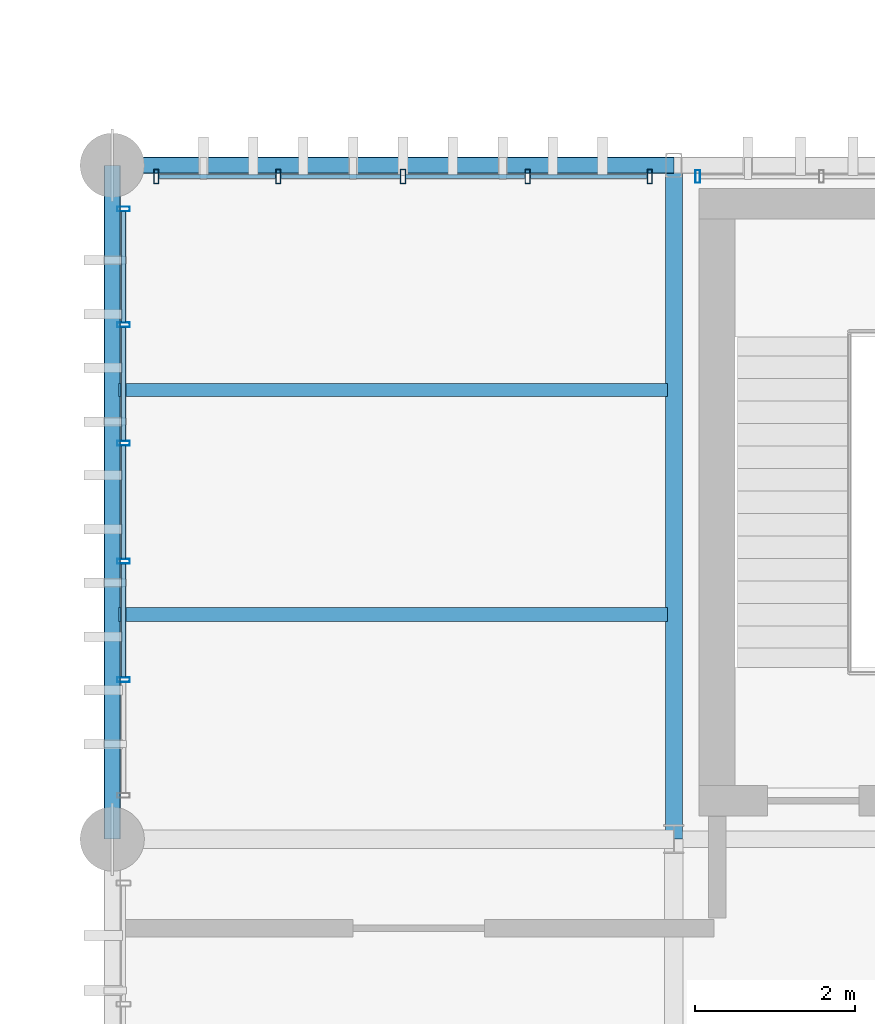
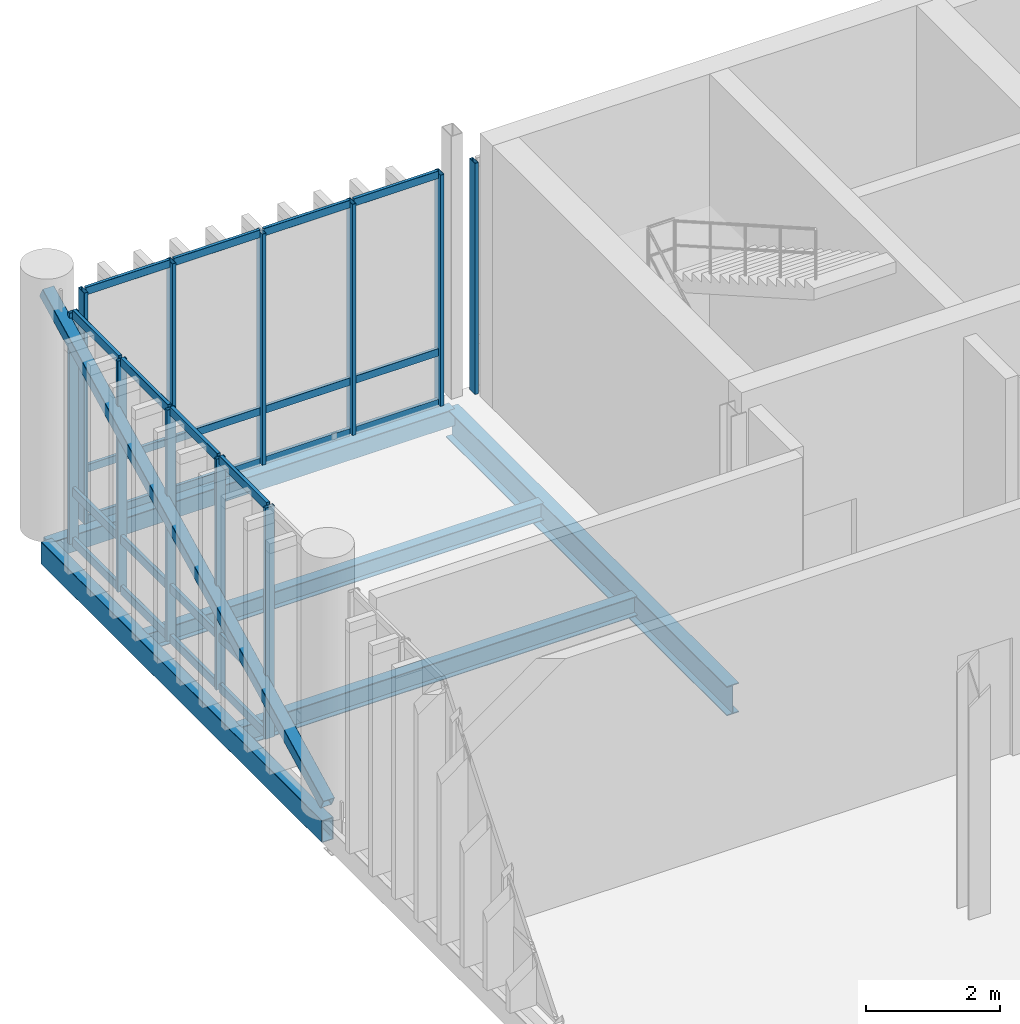
# One storey, part 22 of 94: 36 members, 5 beams, 3 elements without a shape of their own.
"""IFC4 building model written with IfcOpenShell, lengths in metres."""

from ifc_helpers import new_model, si_unit, direction, frame, origin_with_axes, origin_2d_with_axis, place, context, subcontext, project, spatial, hollow_rectangle, i_section, extrude, material, material_profile, profile_set, type_object, element, aggregate, save


model = new_model("IFC4")

# Units and contexts
model_context = context("Model", 3, precision=1e-05, world=origin_with_axes(), true_north=direction((0.0, 1.0)))
body_context = subcontext(model_context, "Body", "Model", "MODEL_VIEW")
ifc_project = project(units=[si_unit("LENGTHUNIT", "METRE"), si_unit("AREAUNIT", "SQUARE_METRE"), si_unit("VOLUMEUNIT", "CUBIC_METRE"), si_unit("PLANEANGLEUNIT", "RADIAN"), si_unit("MASSUNIT", "GRAM", prefix="KILO"), si_unit("THERMODYNAMICTEMPERATUREUNIT", "KELVIN")], contexts=[model_context])

# Site, building, storey
site_placement = place(None, origin_with_axes())
site = spatial("IfcSite", under=ifc_project, at=site_placement, CompositionType="ELEMENT")
building_placement = place(site_placement, origin_with_axes())
building = spatial("IfcBuilding", under=site, at=building_placement, Name="Montbau Bow Law Courts", CompositionType="ELEMENT")
storey_placement = place(building_placement, frame((0.0, 0.0, 15.6), z_axis=(0.0, 0.0, 1.0), x_axis=(1.0, 0.0, 0.0)))
storey = spatial("IfcBuildingStorey", under=building, at=storey_placement, Name="L03", CompositionType="ELEMENT", Elevation=15.6)

# Beams
ifc_material_1 = material(Name="Steel CSA G40.21 Grade 350W (350 MPa)", Category="steel")
ifc_material_profile_1 = material_profile(ifc_material_1, i_section(OverallWidth=0.21, OverallDepth=0.537, WebThickness=0.0109, FlangeThickness=0.0174, at=origin_2d_with_axis()), Name="W530X101", Category="Main", Priority=0)
ifc_profile_set_1 = profile_set([ifc_material_profile_1], Name="Steel CSA G40.21 Grade 350W (350 MPa)")
beam_type_1 = type_object("IfcBeamType", Name="B-FLR-06", PredefinedType="BEAM", material=ifc_profile_set_1)
beam_1_placement = place(None, frame((13.8, 46.2, 15.091), z_axis=(0.0, 1.0, 0.0), x_axis=(-1.0, 0.0, 0.0)))
element("IfcBeam", 1, at=beam_1_placement, inside=storey, type_object=beam_type_1, Name="BM-L03-S0605:bm2_0608", PredefinedType="BEAM", context=body_context, shape_type="SweptSolid", body=[
    extrude(i_section(OverallWidth=0.21, OverallDepth=0.537, WebThickness=0.0109, FlangeThickness=0.0174, at=origin_2d_with_axis()), origin_with_axes(), (0.0, 0.0, 1.0), 8.4),
])
ifc_material_profile_2 = material_profile(ifc_material_1, i_section(OverallWidth=0.172, OverallDepth=0.358, WebThickness=0.0079, FlangeThickness=0.0131, at=origin_2d_with_axis()), Name="W360X57", Category="Main", Priority=0)
ifc_profile_set_2 = profile_set([ifc_material_profile_2], Name="Steel CSA G40.21 Grade 350W (350 MPa)")
beam_type_2 = type_object("IfcBeamType", Name="B-JST-03", PredefinedType="JOIST", material=ifc_profile_set_2)
beam_2_placement = place(None, frame((6.88, 49.0, 15.181), z_axis=(1.0, 0.0, 0.0), x_axis=(0.0, 1.0, 0.0)))
element("IfcBeam", 2, at=beam_2_placement, inside=storey, type_object=beam_type_2, Name="JST-L03-S0286:jst2_0286", PredefinedType="JOIST", context=body_context, shape_type="SweptSolid", body=[
    extrude(i_section(OverallWidth=0.172, OverallDepth=0.358, WebThickness=0.0079, FlangeThickness=0.0131, at=origin_2d_with_axis()), origin_with_axes(), (0.0, 0.0, 1.0), 6.839),
])
ifc_material_profile_3 = material_profile(ifc_material_1, i_section(OverallWidth=0.166, OverallDepth=0.313, WebThickness=0.0066, FlangeThickness=0.0112, at=origin_2d_with_axis()), Name="W310X45", Category="Main", Priority=0)
ifc_profile_set_3 = profile_set([ifc_material_profile_3], Name="Steel CSA G40.21 Grade 350W (350 MPa)")
beam_type_3 = type_object("IfcBeamType", Name="B-JST-04", PredefinedType="JOIST", material=ifc_profile_set_3)
beam_3_placement = place(None, frame((6.88, 51.8, 15.204), z_axis=(1.0, 0.0, 0.0), x_axis=(0.0, 1.0, 0.0)))
element("IfcBeam", 3, at=beam_3_placement, inside=storey, type_object=beam_type_3, Name="JST-L03-S0287:jst2_0287", PredefinedType="JOIST", context=body_context, shape_type="SweptSolid", body=[
    extrude(i_section(OverallWidth=0.166, OverallDepth=0.313, WebThickness=0.0066, FlangeThickness=0.0112, at=origin_2d_with_axis()), origin_with_axes(), (0.0, 0.0, 1.0), 6.839),
])
ifc_material_2 = material(Name="Steel CSA G40.21 Grade 350WT (350 MPa)", Category="steel")
ifc_material_profile_4 = material_profile(ifc_material_2, hollow_rectangle(XDim=0.203, YDim=0.406, WallThickness=0.0127, InnerFilletRadius=0.0254, OuterFilletRadius=0.0127, at=origin_2d_with_axis()), Name="HSS406X203X13", Category="Main", Priority=0)
ifc_profile_set_4 = profile_set([ifc_material_profile_4], Name="Steel CSA G40.21 Grade 350WT (350 MPa)")
beam_type_4 = type_object("IfcBeamType", Name="B-SPN-01", PredefinedType="SPANDREL", material=ifc_profile_set_4)
beam_4_placement = place(None, frame((6.8, 46.2, 15.157), z_axis=(0.0, 1.0, 0.0), x_axis=(-1.0, 0.0, 0.0)))
element("IfcBeam", 4, at=beam_4_placement, inside=storey, type_object=beam_type_4, Name="SPN-L03-S0603:bm2_0606", PredefinedType="SPANDREL", context=body_context, shape_type="SweptSolid", body=[
    extrude(hollow_rectangle(XDim=0.203, YDim=0.406, WallThickness=0.0127, InnerFilletRadius=0.0254, OuterFilletRadius=0.0127, at=origin_2d_with_axis()), origin_with_axes(), (0.0, 0.0, 1.0), 8.4),
])
ifc_material_profile_5 = material_profile(ifc_material_2, hollow_rectangle(XDim=0.203, YDim=0.305, WallThickness=0.0127, InnerFilletRadius=0.0254, OuterFilletRadius=0.0127, at=origin_2d_with_axis()), Name="HSS305X203X13", Category="Main", Priority=0)
ifc_profile_set_5 = profile_set([ifc_material_profile_5], Name="Steel CSA G40.21 Grade 350WT (350 MPa)")
beam_type_5 = type_object("IfcBeamType", Name="B-SPN-02", PredefinedType="SPANDREL", material=ifc_profile_set_5)
beam_5_placement = place(None, frame((6.8, 54.6, 15.207), z_axis=(1.0, 0.0, 0.0), x_axis=(0.0, 1.0, 0.0)))
element("IfcBeam", 5, at=beam_5_placement, inside=storey, type_object=beam_type_5, Name="SPN-L03-S0596:bm2_0599", PredefinedType="SPANDREL", context=body_context, shape_type="SweptSolid", body=[
    extrude(hollow_rectangle(XDim=0.203, YDim=0.305, WallThickness=0.0127, InnerFilletRadius=0.0254, OuterFilletRadius=0.0127, at=origin_2d_with_axis()), origin_with_axes(), (0.0, 0.0, 1.0), 7.0),
])

# Member
ifc_material_profile_6 = material_profile(ifc_material_1, hollow_rectangle(XDim=0.203, YDim=0.203, WallThickness=0.0111, InnerFilletRadius=0.0222, OuterFilletRadius=0.0111, at=origin_2d_with_axis()), Name="HSS203X203X11", Category="Main", Priority=0)
ifc_profile_set_6 = profile_set([ifc_material_profile_6], Name="Steel CSA G40.21 Grade 350W (350 MPa)")
member_type_1 = type_object("IfcMemberType", Name="M-BRC-02", PredefinedType="BRACE", material=ifc_profile_set_6)
member_1_placement = place(None, frame((6.8, 46.2, 15.65), z_axis=(0.0, 0.89199296, 0.452049289), x_axis=(-1.0, 0.0, 0.0)))
element("IfcMember", 6, at=member_1_placement, inside=storey, type_object=member_type_1, Name="Diagonal brace CBF-L03-041A", PredefinedType="BRACE", context=body_context, shape_type="SweptSolid", body=[
    extrude(hollow_rectangle(XDim=0.203, YDim=0.203, WallThickness=0.0111, InnerFilletRadius=0.0222, OuterFilletRadius=0.0111, at=origin_2d_with_axis()), origin_with_axes(), (0.0, 0.0, 1.0), 9.417115),
])

# Curtain wall, members
ifc_material_3 = material(Name="Thermally Broken Extruded Aluminium AA 6063-T6", Category="aluminium")
curtain_wall_type = type_object("IfcCurtainWallType", Name="CW-TRC-01", PredefinedType="NOTDEFINED", material=ifc_material_3)
curtain_wall_1_placement = place(None, frame((7.315, 54.46, 15.6), z_axis=(0.0, 0.0, 1.0), x_axis=(1.0, 0.0, 0.0)))
curtain_wall_1 = element("IfcCurtainWall", 7, at=curtain_wall_1_placement, inside=storey, type_object=curtain_wall_type, Name="CW-L03-055:cw_0055", PredefinedType="NOTDEFINED")
ifc_material_profile_7 = material_profile(ifc_material_3, hollow_rectangle(XDim=0.065, YDim=0.18, WallThickness=0.005, InnerFilletRadius=0.01, OuterFilletRadius=0.005, at=origin_2d_with_axis()), Name="CWM-180X65", Category="Main", Priority=0)
ifc_profile_set_7 = profile_set([ifc_material_profile_7], Name="Thermally Broken Extruded Aluminium AA 6063-T6")
member_type_2 = type_object("IfcMemberType", Name="M-MUL-02", PredefinedType="MULLION", material=ifc_profile_set_7)
member_2_placement = place(None, frame((7.348, 54.46, 15.6), z_axis=(0.0, 0.0, 1.0), x_axis=(1.0, 0.0, 0.0)))
member_2 = element("IfcMember", 8, at=member_2_placement, type_object=member_type_2, Name="CW-L03-055-M01:cw_0055_M01", PredefinedType="MULLION", context=body_context, shape_type="SweptSolid", body=[
    extrude(hollow_rectangle(XDim=0.065, YDim=0.18, WallThickness=0.005, InnerFilletRadius=0.01, OuterFilletRadius=0.005, at=origin_2d_with_axis()), origin_with_axes(), (0.0, 0.0, 1.0), 4.22),
])
member_3_placement = place(None, frame((8.869, 54.46, 15.6), z_axis=(0.0, 0.0, 1.0), x_axis=(1.0, 0.0, 0.0)))
member_3 = element("IfcMember", 9, at=member_3_placement, type_object=member_type_2, Name="CW-L03-055-M02:cw_0055_M02", PredefinedType="MULLION", context=body_context, shape_type="SweptSolid", body=[
    extrude(hollow_rectangle(XDim=0.065, YDim=0.18, WallThickness=0.005, InnerFilletRadius=0.01, OuterFilletRadius=0.005, at=origin_2d_with_axis()), origin_with_axes(), (0.0, 0.0, 1.0), 4.22),
])
member_4_placement = place(None, frame((10.424, 54.46, 15.6), z_axis=(0.0, 0.0, 1.0), x_axis=(1.0, 0.0, 0.0)))
member_4 = element("IfcMember", 10, at=member_4_placement, type_object=member_type_2, Name="CW-L03-055-M03:cw_0055_M03", PredefinedType="MULLION", context=body_context, shape_type="SweptSolid", body=[
    extrude(hollow_rectangle(XDim=0.065, YDim=0.18, WallThickness=0.005, InnerFilletRadius=0.01, OuterFilletRadius=0.005, at=origin_2d_with_axis()), origin_with_axes(), (0.0, 0.0, 1.0), 4.22),
])
member_5_placement = place(None, frame((11.978, 54.46, 15.6), z_axis=(0.0, 0.0, 1.0), x_axis=(1.0, 0.0, 0.0)))
member_5 = element("IfcMember", 11, at=member_5_placement, type_object=member_type_2, Name="CW-L03-055-M04:cw_0055_M04", PredefinedType="MULLION", context=body_context, shape_type="SweptSolid", body=[
    extrude(hollow_rectangle(XDim=0.065, YDim=0.18, WallThickness=0.005, InnerFilletRadius=0.01, OuterFilletRadius=0.005, at=origin_2d_with_axis()), origin_with_axes(), (0.0, 0.0, 1.0), 4.22),
])
member_6_placement = place(None, frame((13.5, 54.46, 15.6), z_axis=(0.0, 0.0, 1.0), x_axis=(1.0, 0.0, 0.0)))
member_6 = element("IfcMember", 12, at=member_6_placement, type_object=member_type_2, Name="CW-L03-055-M05:cw_0055_M05", PredefinedType="MULLION", context=body_context, shape_type="SweptSolid", body=[
    extrude(hollow_rectangle(XDim=0.065, YDim=0.18, WallThickness=0.005, InnerFilletRadius=0.01, OuterFilletRadius=0.005, at=origin_2d_with_axis()), origin_with_axes(), (0.0, 0.0, 1.0), 4.22),
])

# Curtain wall, member
curtain_wall_2_placement = place(None, frame((14.068, 54.46, 15.6), z_axis=(0.0, 0.0, 1.0), x_axis=(1.0, 0.0, 0.0)))
curtain_wall_2 = element("IfcCurtainWall", 13, at=curtain_wall_2_placement, inside=storey, type_object=curtain_wall_type, Name="CW-L03-056:cw_0056", PredefinedType="NOTDEFINED")
ifc_material_profile_8 = material_profile(ifc_material_3, hollow_rectangle(XDim=0.06, YDim=0.16, WallThickness=0.004, InnerFilletRadius=0.008, OuterFilletRadius=0.004, at=origin_2d_with_axis()), Name="CWM-160X60", Category="Main", Priority=0)
ifc_profile_set_8 = profile_set([ifc_material_profile_8], Name="Thermally Broken Extruded Aluminium AA 6063-T6")
member_type_3 = type_object("IfcMemberType", Name="M-MUL-03", PredefinedType="MULLION", material=ifc_profile_set_8)
member_7_placement = place(None, frame((14.098, 54.46, 15.6), z_axis=(0.0, 0.0, 1.0), x_axis=(1.0, 0.0, 0.0)))
member_7 = element("IfcMember", 14, at=member_7_placement, type_object=member_type_3, Name="CW-L03-056-M01:cw_0056_M01", PredefinedType="MULLION", context=body_context, shape_type="SweptSolid", body=[
    extrude(hollow_rectangle(XDim=0.06, YDim=0.16, WallThickness=0.004, InnerFilletRadius=0.008, OuterFilletRadius=0.004, at=origin_2d_with_axis()), origin_with_axes(), (0.0, 0.0, 1.0), 4.22),
])
aggregate(curtain_wall_2, [member_7])

# Curtain wall, members
curtain_wall_3_placement = place(None, frame((6.94, 46.715, 15.6), z_axis=(0.0, 0.0, 1.0), x_axis=(1.0, 0.0, 0.0)))
curtain_wall_3 = element("IfcCurtainWall", 15, at=curtain_wall_3_placement, inside=storey, type_object=curtain_wall_type, Name="CW-L03-062:cw_0062", PredefinedType="NOTDEFINED")
member_8_placement = place(None, frame((6.94, 48.189, 15.6), z_axis=(0.0, 0.0, 1.0), x_axis=(0.0, 1.0, 0.0)))
member_8 = element("IfcMember", 16, at=member_8_placement, type_object=member_type_3, Name="CW-L03-062-M02:cw_0062_M02", PredefinedType="MULLION", context=body_context, shape_type="SweptSolid", body=[
    extrude(hollow_rectangle(XDim=0.06, YDim=0.16, WallThickness=0.004, InnerFilletRadius=0.008, OuterFilletRadius=0.004, at=origin_2d_with_axis()), origin_with_axes(), (0.0, 0.0, 1.0), 4.22),
])
member_9_placement = place(None, frame((6.94, 49.663, 15.6), z_axis=(0.0, 0.0, 1.0), x_axis=(0.0, 1.0, 0.0)))
member_9 = element("IfcMember", 17, at=member_9_placement, type_object=member_type_3, Name="CW-L03-062-M03:cw_0062_M03", PredefinedType="MULLION", context=body_context, shape_type="SweptSolid", body=[
    extrude(hollow_rectangle(XDim=0.06, YDim=0.16, WallThickness=0.004, InnerFilletRadius=0.008, OuterFilletRadius=0.004, at=origin_2d_with_axis()), origin_with_axes(), (0.0, 0.0, 1.0), 4.22),
])
member_10_placement = place(None, frame((6.94, 51.137, 15.6), z_axis=(0.0, 0.0, 1.0), x_axis=(0.0, 1.0, 0.0)))
member_10 = element("IfcMember", 18, at=member_10_placement, type_object=member_type_3, Name="CW-L03-062-M04:cw_0062_M04", PredefinedType="MULLION", context=body_context, shape_type="SweptSolid", body=[
    extrude(hollow_rectangle(XDim=0.06, YDim=0.16, WallThickness=0.004, InnerFilletRadius=0.008, OuterFilletRadius=0.004, at=origin_2d_with_axis()), origin_with_axes(), (0.0, 0.0, 1.0), 4.22),
])
member_11_placement = place(None, frame((6.94, 52.611, 15.6), z_axis=(0.0, 0.0, 1.0), x_axis=(0.0, 1.0, 0.0)))
member_11 = element("IfcMember", 19, at=member_11_placement, type_object=member_type_3, Name="CW-L03-062-M05:cw_0062_M05", PredefinedType="MULLION", context=body_context, shape_type="SweptSolid", body=[
    extrude(hollow_rectangle(XDim=0.06, YDim=0.16, WallThickness=0.004, InnerFilletRadius=0.008, OuterFilletRadius=0.004, at=origin_2d_with_axis()), origin_with_axes(), (0.0, 0.0, 1.0), 4.22),
])
member_12_placement = place(None, frame((6.94, 54.055, 15.6), z_axis=(0.0, 0.0, 1.0), x_axis=(0.0, 1.0, 0.0)))
member_12 = element("IfcMember", 20, at=member_12_placement, type_object=member_type_3, Name="CW-L03-062-M06:cw_0062_M06", PredefinedType="MULLION", context=body_context, shape_type="SweptSolid", body=[
    extrude(hollow_rectangle(XDim=0.06, YDim=0.16, WallThickness=0.004, InnerFilletRadius=0.008, OuterFilletRadius=0.004, at=origin_2d_with_axis()), origin_with_axes(), (0.0, 0.0, 1.0), 4.22),
])
ifc_material_profile_9 = material_profile(ifc_material_3, hollow_rectangle(XDim=0.06, YDim=0.16, WallThickness=0.004, InnerFilletRadius=0.008, OuterFilletRadius=0.004, at=origin_2d_with_axis()), Name="CWT-160X60", Category="Main", Priority=0)
ifc_profile_set_9 = profile_set([ifc_material_profile_9], Name="Thermally Broken Extruded Aluminium AA 6063-T6")
member_type_4 = type_object("IfcMemberType", Name="M-TRN-01", PredefinedType="USERDEFINED", material=ifc_profile_set_9)
member_13_placement = place(None, frame((6.94, 48.221, 15.63), z_axis=(0.0, 1.0, 0.0), x_axis=(-1.0, 0.0, 0.0)))
member_13 = element("IfcMember", 21, at=member_13_placement, type_object=member_type_4, Name="CW-L03-062-T02-1:cw_0062_T02_1", ObjectType="TRANSOM", PredefinedType="USERDEFINED", context=body_context, shape_type="SweptSolid", body=[
    extrude(hollow_rectangle(XDim=0.06, YDim=0.16, WallThickness=0.004, InnerFilletRadius=0.008, OuterFilletRadius=0.004, at=origin_2d_with_axis()), origin_with_axes(), (0.0, 0.0, 1.0), 1.41),
])
member_14_placement = place(None, frame((6.94, 48.221, 16.55), z_axis=(0.0, 1.0, 0.0), x_axis=(-1.0, 0.0, 0.0)))
member_14 = element("IfcMember", 22, at=member_14_placement, type_object=member_type_4, Name="CW-L03-062-T02-2:cw_0062_T02_2", ObjectType="TRANSOM", PredefinedType="USERDEFINED", context=body_context, shape_type="SweptSolid", body=[
    extrude(hollow_rectangle(XDim=0.06, YDim=0.16, WallThickness=0.004, InnerFilletRadius=0.008, OuterFilletRadius=0.004, at=origin_2d_with_axis()), origin_with_axes(), (0.0, 0.0, 1.0), 1.41),
])
member_15_placement = place(None, frame((6.94, 48.221, 19.79), z_axis=(0.0, 1.0, 0.0), x_axis=(-1.0, 0.0, 0.0)))
member_15 = element("IfcMember", 23, at=member_15_placement, type_object=member_type_4, Name="CW-L03-062-T02-3:cw_0062_T02_3", ObjectType="TRANSOM", PredefinedType="USERDEFINED", context=body_context, shape_type="SweptSolid", body=[
    extrude(hollow_rectangle(XDim=0.06, YDim=0.16, WallThickness=0.004, InnerFilletRadius=0.008, OuterFilletRadius=0.004, at=origin_2d_with_axis()), origin_with_axes(), (0.0, 0.0, 1.0), 1.41),
])
member_16_placement = place(None, frame((6.94, 49.695, 15.63), z_axis=(0.0, 1.0, 0.0), x_axis=(-1.0, 0.0, 0.0)))
member_16 = element("IfcMember", 24, at=member_16_placement, type_object=member_type_4, Name="CW-L03-062-T03-1:cw_0062_T03_1", ObjectType="TRANSOM", PredefinedType="USERDEFINED", context=body_context, shape_type="SweptSolid", body=[
    extrude(hollow_rectangle(XDim=0.06, YDim=0.16, WallThickness=0.004, InnerFilletRadius=0.008, OuterFilletRadius=0.004, at=origin_2d_with_axis()), origin_with_axes(), (0.0, 0.0, 1.0), 1.41),
])
member_17_placement = place(None, frame((6.94, 49.695, 16.55), z_axis=(0.0, 1.0, 0.0), x_axis=(-1.0, 0.0, 0.0)))
member_17 = element("IfcMember", 25, at=member_17_placement, type_object=member_type_4, Name="CW-L03-062-T03-2:cw_0062_T03_2", ObjectType="TRANSOM", PredefinedType="USERDEFINED", context=body_context, shape_type="SweptSolid", body=[
    extrude(hollow_rectangle(XDim=0.06, YDim=0.16, WallThickness=0.004, InnerFilletRadius=0.008, OuterFilletRadius=0.004, at=origin_2d_with_axis()), origin_with_axes(), (0.0, 0.0, 1.0), 1.41),
])
member_18_placement = place(None, frame((6.94, 49.695, 19.79), z_axis=(0.0, 1.0, 0.0), x_axis=(-1.0, 0.0, 0.0)))
member_18 = element("IfcMember", 26, at=member_18_placement, type_object=member_type_4, Name="CW-L03-062-T03-3:cw_0062_T03_3", ObjectType="TRANSOM", PredefinedType="USERDEFINED", context=body_context, shape_type="SweptSolid", body=[
    extrude(hollow_rectangle(XDim=0.06, YDim=0.16, WallThickness=0.004, InnerFilletRadius=0.008, OuterFilletRadius=0.004, at=origin_2d_with_axis()), origin_with_axes(), (0.0, 0.0, 1.0), 1.41),
])
member_19_placement = place(None, frame((6.94, 51.169, 15.63), z_axis=(0.0, 1.0, 0.0), x_axis=(-1.0, 0.0, 0.0)))
member_19 = element("IfcMember", 27, at=member_19_placement, type_object=member_type_4, Name="CW-L03-062-T04-1:cw_0062_T04_1", ObjectType="TRANSOM", PredefinedType="USERDEFINED", context=body_context, shape_type="SweptSolid", body=[
    extrude(hollow_rectangle(XDim=0.06, YDim=0.16, WallThickness=0.004, InnerFilletRadius=0.008, OuterFilletRadius=0.004, at=origin_2d_with_axis()), origin_with_axes(), (0.0, 0.0, 1.0), 1.41),
])
member_20_placement = place(None, frame((6.94, 51.169, 16.55), z_axis=(0.0, 1.0, 0.0), x_axis=(-1.0, 0.0, 0.0)))
member_20 = element("IfcMember", 28, at=member_20_placement, type_object=member_type_4, Name="CW-L03-062-T04-2:cw_0062_T04_2", ObjectType="TRANSOM", PredefinedType="USERDEFINED", context=body_context, shape_type="SweptSolid", body=[
    extrude(hollow_rectangle(XDim=0.06, YDim=0.16, WallThickness=0.004, InnerFilletRadius=0.008, OuterFilletRadius=0.004, at=origin_2d_with_axis()), origin_with_axes(), (0.0, 0.0, 1.0), 1.41),
])
member_21_placement = place(None, frame((6.94, 51.169, 19.79), z_axis=(0.0, 1.0, 0.0), x_axis=(-1.0, 0.0, 0.0)))
member_21 = element("IfcMember", 29, at=member_21_placement, type_object=member_type_4, Name="CW-L03-062-T04-3:cw_0062_T04_3", ObjectType="TRANSOM", PredefinedType="USERDEFINED", context=body_context, shape_type="SweptSolid", body=[
    extrude(hollow_rectangle(XDim=0.06, YDim=0.16, WallThickness=0.004, InnerFilletRadius=0.008, OuterFilletRadius=0.004, at=origin_2d_with_axis()), origin_with_axes(), (0.0, 0.0, 1.0), 1.41),
])
member_22_placement = place(None, frame((6.94, 52.643, 15.63), z_axis=(0.0, 1.0, 0.0), x_axis=(-1.0, 0.0, 0.0)))
member_22 = element("IfcMember", 30, at=member_22_placement, type_object=member_type_4, Name="CW-L03-062-T05-1:cw_0062_T05_1", ObjectType="TRANSOM", PredefinedType="USERDEFINED", context=body_context, shape_type="SweptSolid", body=[
    extrude(hollow_rectangle(XDim=0.06, YDim=0.16, WallThickness=0.004, InnerFilletRadius=0.008, OuterFilletRadius=0.004, at=origin_2d_with_axis()), origin_with_axes(), (0.0, 0.0, 1.0), 1.38),
])
member_23_placement = place(None, frame((6.94, 52.643, 16.55), z_axis=(0.0, 1.0, 0.0), x_axis=(-1.0, 0.0, 0.0)))
member_23 = element("IfcMember", 31, at=member_23_placement, type_object=member_type_4, Name="CW-L03-062-T05-2:cw_0062_T05_2", ObjectType="TRANSOM", PredefinedType="USERDEFINED", context=body_context, shape_type="SweptSolid", body=[
    extrude(hollow_rectangle(XDim=0.06, YDim=0.16, WallThickness=0.004, InnerFilletRadius=0.008, OuterFilletRadius=0.004, at=origin_2d_with_axis()), origin_with_axes(), (0.0, 0.0, 1.0), 1.38),
])
member_24_placement = place(None, frame((6.94, 52.643, 19.79), z_axis=(0.0, 1.0, 0.0), x_axis=(-1.0, 0.0, 0.0)))
member_24 = element("IfcMember", 32, at=member_24_placement, type_object=member_type_4, Name="CW-L03-062-T05-3:cw_0062_T05_3", ObjectType="TRANSOM", PredefinedType="USERDEFINED", context=body_context, shape_type="SweptSolid", body=[
    extrude(hollow_rectangle(XDim=0.06, YDim=0.16, WallThickness=0.004, InnerFilletRadius=0.008, OuterFilletRadius=0.004, at=origin_2d_with_axis()), origin_with_axes(), (0.0, 0.0, 1.0), 1.38),
])
aggregate(curtain_wall_3, [member_8, member_9, member_10, member_11, member_12, member_13, member_14, member_15, member_16, member_17, member_18, member_19, member_20, member_21, member_22, member_23, member_24])

# Member
ifc_material_profile_10 = material_profile(ifc_material_3, hollow_rectangle(XDim=0.055, YDim=0.14, WallThickness=0.004, InnerFilletRadius=0.008, OuterFilletRadius=0.004, at=origin_2d_with_axis()), Name="CWT-140X55", Category="Main", Priority=0)
ifc_profile_set_10 = profile_set([ifc_material_profile_10], Name="Thermally Broken Extruded Aluminium AA 6063-T6")
member_type_5 = type_object("IfcMemberType", Name="M-TRN-02", PredefinedType="USERDEFINED", material=ifc_profile_set_10)
member_25_placement = place(None, frame((7.383, 54.46, 15.627), z_axis=(1.0, 0.0, 0.0), x_axis=(0.0, 1.0, 0.0)))
member_25 = element("IfcMember", 33, at=member_25_placement, type_object=member_type_5, Name="CW-L03-055-T01-1:cw_0055_T01_1", ObjectType="TRANSOM", PredefinedType="USERDEFINED", context=body_context, shape_type="SweptSolid", body=[
    extrude(hollow_rectangle(XDim=0.055, YDim=0.14, WallThickness=0.004, InnerFilletRadius=0.008, OuterFilletRadius=0.004, at=origin_2d_with_axis()), origin_with_axes(), (0.0, 0.0, 1.0), 1.452),
])

member_26_placement = place(None, frame((7.383, 54.46, 16.55), z_axis=(1.0, 0.0, 0.0), x_axis=(0.0, 1.0, 0.0)))
member_26 = element("IfcMember", 34, at=member_26_placement, type_object=member_type_5, Name="CW-L03-055-T01-2:cw_0055_T01_2", ObjectType="TRANSOM", PredefinedType="USERDEFINED", context=body_context, shape_type="SweptSolid", body=[
    extrude(hollow_rectangle(XDim=0.055, YDim=0.14, WallThickness=0.004, InnerFilletRadius=0.008, OuterFilletRadius=0.004, at=origin_2d_with_axis()), origin_with_axes(), (0.0, 0.0, 1.0), 1.452),
])

member_27_placement = place(None, frame((7.383, 54.46, 19.793), z_axis=(1.0, 0.0, 0.0), x_axis=(0.0, 1.0, 0.0)))
member_27 = element("IfcMember", 35, at=member_27_placement, type_object=member_type_5, Name="CW-L03-055-T01-3:cw_0055_T01_3", ObjectType="TRANSOM", PredefinedType="USERDEFINED", context=body_context, shape_type="SweptSolid", body=[
    extrude(hollow_rectangle(XDim=0.055, YDim=0.14, WallThickness=0.004, InnerFilletRadius=0.008, OuterFilletRadius=0.004, at=origin_2d_with_axis()), origin_with_axes(), (0.0, 0.0, 1.0), 1.452),
])

member_28_placement = place(None, frame((8.904, 54.46, 15.627), z_axis=(1.0, 0.0, 0.0), x_axis=(0.0, 1.0, 0.0)))
member_28 = element("IfcMember", 36, at=member_28_placement, type_object=member_type_5, Name="CW-L03-055-T02-1:cw_0055_T02_1", ObjectType="TRANSOM", PredefinedType="USERDEFINED", context=body_context, shape_type="SweptSolid", body=[
    extrude(hollow_rectangle(XDim=0.055, YDim=0.14, WallThickness=0.004, InnerFilletRadius=0.008, OuterFilletRadius=0.004, at=origin_2d_with_axis()), origin_with_axes(), (0.0, 0.0, 1.0), 1.486),
])

member_29_placement = place(None, frame((8.904, 54.46, 16.55), z_axis=(1.0, 0.0, 0.0), x_axis=(0.0, 1.0, 0.0)))
member_29 = element("IfcMember", 37, at=member_29_placement, type_object=member_type_5, Name="CW-L03-055-T02-2:cw_0055_T02_2", ObjectType="TRANSOM", PredefinedType="USERDEFINED", context=body_context, shape_type="SweptSolid", body=[
    extrude(hollow_rectangle(XDim=0.055, YDim=0.14, WallThickness=0.004, InnerFilletRadius=0.008, OuterFilletRadius=0.004, at=origin_2d_with_axis()), origin_with_axes(), (0.0, 0.0, 1.0), 1.486),
])

member_30_placement = place(None, frame((8.904, 54.46, 19.793), z_axis=(1.0, 0.0, 0.0), x_axis=(0.0, 1.0, 0.0)))
member_30 = element("IfcMember", 38, at=member_30_placement, type_object=member_type_5, Name="CW-L03-055-T02-3:cw_0055_T02_3", ObjectType="TRANSOM", PredefinedType="USERDEFINED", context=body_context, shape_type="SweptSolid", body=[
    extrude(hollow_rectangle(XDim=0.055, YDim=0.14, WallThickness=0.004, InnerFilletRadius=0.008, OuterFilletRadius=0.004, at=origin_2d_with_axis()), origin_with_axes(), (0.0, 0.0, 1.0), 1.486),
])

member_31_placement = place(None, frame((10.458, 54.46, 15.627), z_axis=(1.0, 0.0, 0.0), x_axis=(0.0, 1.0, 0.0)))
member_31 = element("IfcMember", 39, at=member_31_placement, type_object=member_type_5, Name="CW-L03-055-T03-1:cw_0055_T03_1", ObjectType="TRANSOM", PredefinedType="USERDEFINED", context=body_context, shape_type="SweptSolid", body=[
    extrude(hollow_rectangle(XDim=0.055, YDim=0.14, WallThickness=0.004, InnerFilletRadius=0.008, OuterFilletRadius=0.004, at=origin_2d_with_axis()), origin_with_axes(), (0.0, 0.0, 1.0), 1.486),
])

member_32_placement = place(None, frame((10.458, 54.46, 16.55), z_axis=(1.0, 0.0, 0.0), x_axis=(0.0, 1.0, 0.0)))
member_32 = element("IfcMember", 40, at=member_32_placement, type_object=member_type_5, Name="CW-L03-055-T03-2:cw_0055_T03_2", ObjectType="TRANSOM", PredefinedType="USERDEFINED", context=body_context, shape_type="SweptSolid", body=[
    extrude(hollow_rectangle(XDim=0.055, YDim=0.14, WallThickness=0.004, InnerFilletRadius=0.008, OuterFilletRadius=0.004, at=origin_2d_with_axis()), origin_with_axes(), (0.0, 0.0, 1.0), 1.486),
])

member_33_placement = place(None, frame((10.458, 54.46, 19.793), z_axis=(1.0, 0.0, 0.0), x_axis=(0.0, 1.0, 0.0)))
member_33 = element("IfcMember", 41, at=member_33_placement, type_object=member_type_5, Name="CW-L03-055-T03-3:cw_0055_T03_3", ObjectType="TRANSOM", PredefinedType="USERDEFINED", context=body_context, shape_type="SweptSolid", body=[
    extrude(hollow_rectangle(XDim=0.055, YDim=0.14, WallThickness=0.004, InnerFilletRadius=0.008, OuterFilletRadius=0.004, at=origin_2d_with_axis()), origin_with_axes(), (0.0, 0.0, 1.0), 1.486),
])

member_34_placement = place(None, frame((12.012, 54.46, 15.627), z_axis=(1.0, 0.0, 0.0), x_axis=(0.0, 1.0, 0.0)))
member_34 = element("IfcMember", 42, at=member_34_placement, type_object=member_type_5, Name="CW-L03-055-T04-1:cw_0055_T04_1", ObjectType="TRANSOM", PredefinedType="USERDEFINED", context=body_context, shape_type="SweptSolid", body=[
    extrude(hollow_rectangle(XDim=0.055, YDim=0.14, WallThickness=0.004, InnerFilletRadius=0.008, OuterFilletRadius=0.004, at=origin_2d_with_axis()), origin_with_axes(), (0.0, 0.0, 1.0), 1.454),
])

member_35_placement = place(None, frame((12.012, 54.46, 16.55), z_axis=(1.0, 0.0, 0.0), x_axis=(0.0, 1.0, 0.0)))
member_35 = element("IfcMember", 43, at=member_35_placement, type_object=member_type_5, Name="CW-L03-055-T04-2:cw_0055_T04_2", ObjectType="TRANSOM", PredefinedType="USERDEFINED", context=body_context, shape_type="SweptSolid", body=[
    extrude(hollow_rectangle(XDim=0.055, YDim=0.14, WallThickness=0.004, InnerFilletRadius=0.008, OuterFilletRadius=0.004, at=origin_2d_with_axis()), origin_with_axes(), (0.0, 0.0, 1.0), 1.454),
])

member_36_placement = place(None, frame((12.012, 54.46, 19.793), z_axis=(1.0, 0.0, 0.0), x_axis=(0.0, 1.0, 0.0)))
member_36 = element("IfcMember", 44, at=member_36_placement, type_object=member_type_5, Name="CW-L03-055-T04-3:cw_0055_T04_3", ObjectType="TRANSOM", PredefinedType="USERDEFINED", context=body_context, shape_type="SweptSolid", body=[
    extrude(hollow_rectangle(XDim=0.055, YDim=0.14, WallThickness=0.004, InnerFilletRadius=0.008, OuterFilletRadius=0.004, at=origin_2d_with_axis()), origin_with_axes(), (0.0, 0.0, 1.0), 1.454),
])

aggregate(curtain_wall_1, [member_2, member_3, member_4, member_5, member_6, member_25, member_26, member_27, member_28, member_29, member_30, member_31, member_32, member_33, member_34, member_35, member_36])

save(model, "model.ifc")
